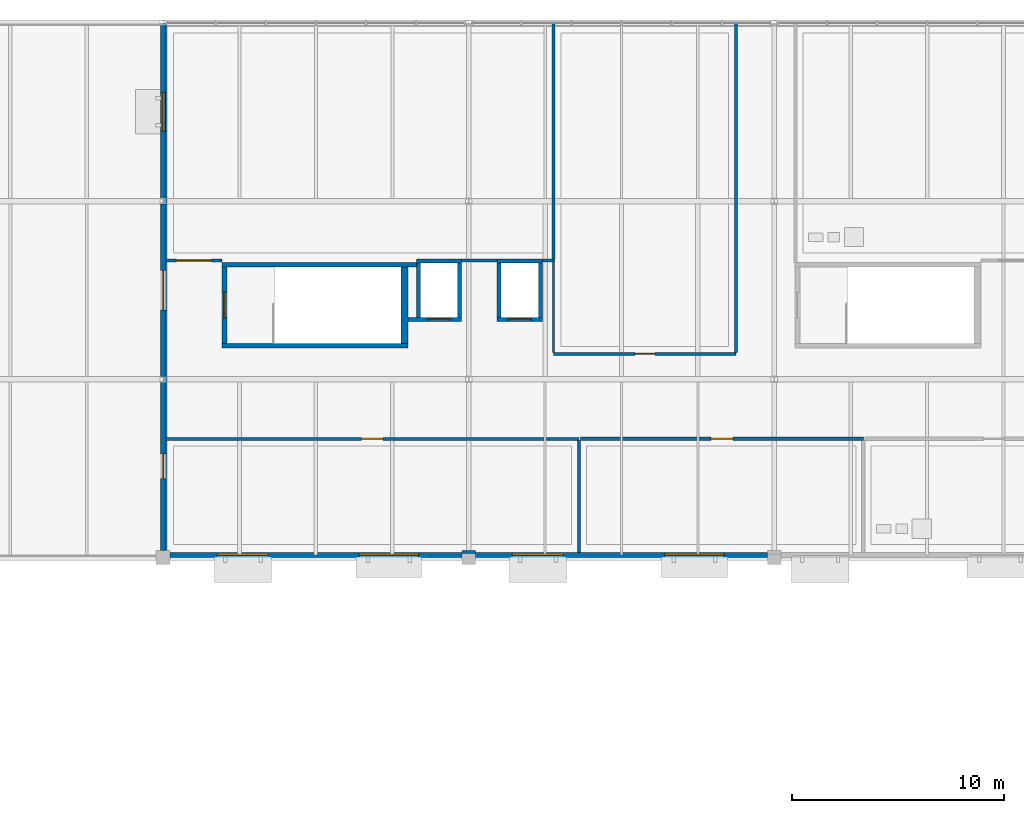
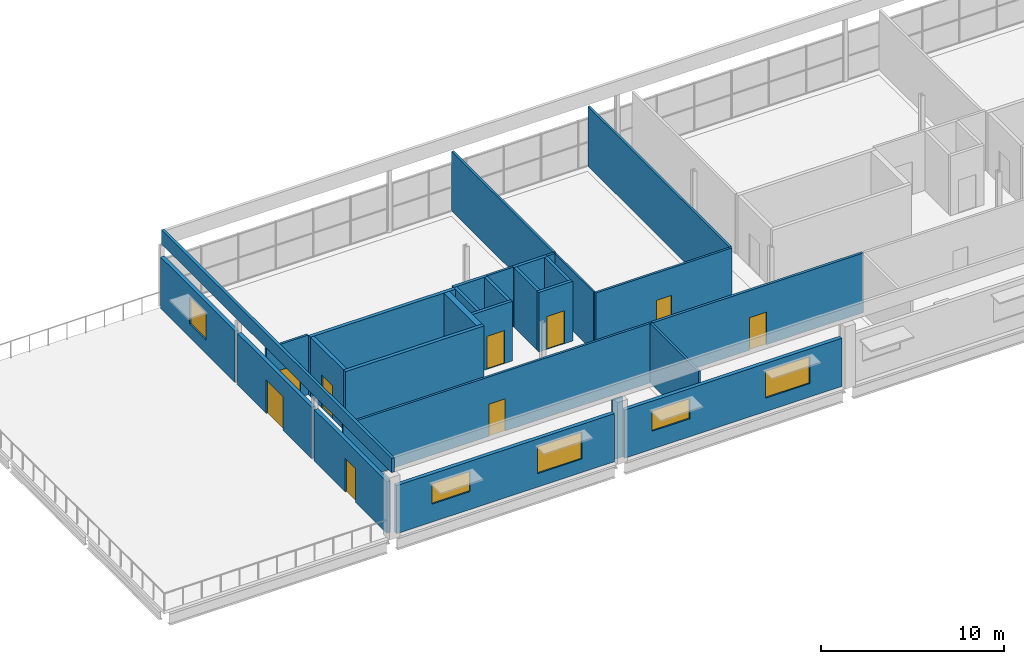
# One storey, part 39 of 43: 29 walls, 9 doors, 5 windows, 14 openings.
"""IFC4 building model written with IfcOpenShell, lengths in metres."""

import ifcopenshell
import ifcopenshell.guid

model = None  # the IFC model being written
_history = None  # IfcOwnerHistory: only IFC2X3 demands one
_inside = {}  # id of a spatial element -> (the spatial element, [elements in it])
_under = {}  # id of a project, library or spatial element -> (it, [spatial elements below it])
_declared = {}  # id of a project -> (the project, [libraries it declares])
_typed = {}  # id of a type object -> (the type object, [elements of that type])
_made_of = {}  # id of a material, layer set ... -> (it, [elements and type objects made of it])


def new_model(schema):
    """Start an empty IFC model of exactly this schema.

    Asked for "IFC4X3", IfcOpenShell would pick the latest addendum, in which some entities
    have other attributes; the version numbers below select the first issue.
    IFC2X3 requires an IfcOwnerHistory on every rooted entity: one is made here for all.
    """
    global model, _history
    if schema == "IFC4X3":
        model = ifcopenshell.file(schema_version=(4, 3, 0, 0))
    else:
        model = ifcopenshell.file(schema=schema)
    _inside.clear()
    _under.clear()
    _declared.clear()
    _typed.clear()
    _made_of.clear()
    _history = None
    if model.schema == "IFC2X3":
        org = make("IfcOrganization", Name="unknown")
        user = make(
            "IfcPersonAndOrganization",
            ThePerson=make("IfcPerson", FamilyName="unknown"),
            TheOrganization=org,
        )
        app = make(
            "IfcApplication",
            ApplicationDeveloper=org,
            Version="unknown",
            ApplicationFullName="unknown",
            ApplicationIdentifier="unknown",
        )
        _history = make(
            "IfcOwnerHistory",
            OwningUser=user,
            OwningApplication=app,
            ChangeAction="ADDED",
            CreationDate=0,
        )
    return model


def make(cls, **values):
    """One entity of the class cls with the attributes given. An attribute that is None is left unset."""
    return model.create_entity(
        cls, **{name: value for name, value in values.items() if value is not None}
    )


def rooted(cls, **values):
    """An entity with a GlobalId (a new one), such as an element, a storey or a relation."""
    return make(cls, GlobalId=ifcopenshell.guid.new(), OwnerHistory=_history, **values)


def si_unit(unit_type, name, prefix=None):
    """IfcSIUnit, for example si_unit("LENGTHUNIT", "METRE", prefix="MILLI")."""
    return make("IfcSIUnit", UnitType=unit_type, Prefix=prefix, Name=name)


def assignment(units):
    """IfcUnitAssignment: the units of a project."""
    return None if units is None else make("IfcUnitAssignment", Units=units)


def point(xyz):
    """IfcCartesianPoint."""
    return None if xyz is None else make("IfcCartesianPoint", Coordinates=xyz)


def direction(xyz):
    """IfcDirection."""
    return None if xyz is None else make("IfcDirection", DirectionRatios=xyz)


def frame(location, z_axis=None, x_axis=None):
    """IfcAxis2Placement3D, a coordinate frame: its origin and axes. An axis left out is left unset."""
    return make(
        "IfcAxis2Placement3D",
        Location=point(location),
        Axis=direction(z_axis),
        RefDirection=direction(x_axis),
    )


def frame_2d(location, x_axis=None):
    """IfcAxis2Placement2D, a coordinate frame in the plane: its origin and x axis."""
    return make(
        "IfcAxis2Placement2D", Location=point(location), RefDirection=direction(x_axis)
    )


def origin():
    """The frame at (0, 0, 0) with its axes left unset."""
    return frame((0.0, 0.0, 0.0))


def place(relative_to, where):
    """IfcLocalPlacement: puts the frame where relative to a parent placement (None: the world)."""
    return make(
        "IfcLocalPlacement", PlacementRelTo=relative_to, RelativePlacement=where
    )


def context(
    kind, dimensions, precision=None, world=None, true_north=None, identifier=None
):
    """IfcGeometricRepresentationContext, for example the 3D "Model" context."""
    return make(
        "IfcGeometricRepresentationContext",
        ContextIdentifier=identifier,
        ContextType=kind,
        CoordinateSpaceDimension=dimensions,
        Precision=precision,
        WorldCoordinateSystem=world,
        TrueNorth=true_north,
    )


def subcontext(parent, identifier, kind, view, scale=None):
    """IfcGeometricRepresentationSubContext, for example "Body" below "Model"."""
    return make(
        "IfcGeometricRepresentationSubContext",
        ContextIdentifier=identifier,
        ContextType=kind,
        ParentContext=parent,
        TargetScale=scale,
        TargetView=view,
    )


def project(units=None, contexts=None):
    """IfcProject with its units and contexts."""
    return rooted(
        "IfcProject",
        Name="project",
        RepresentationContexts=contexts,
        UnitsInContext=assignment(units),
    )


def spatial(cls, under=None, at=None, **own):
    """A site, building, storey or space (cls), placed at a placement, below another one or the project."""
    s = rooted(cls, ObjectPlacement=at, **own)
    if under is not None:
        _under.setdefault(under.id(), (under, []))[1].append(s)
    return s


def profile(cls, at=None, kind="AREA", **sizes):
    """A parametric profile (cls). Its sizes go by their IFC names, for example OverallWidth=200.0."""
    return make(cls, ProfileType=kind, Position=at, **sizes)


def rectangle(**sizes):
    """IfcRectangleProfileDef."""
    return profile("IfcRectangleProfileDef", **sizes)


def extrude(swept, where, along, depth):
    """IfcExtrudedAreaSolid: the profile swept, set in the frame where, extruded along a direction by depth."""
    return make(
        "IfcExtrudedAreaSolid",
        SweptArea=swept,
        Position=where,
        ExtrudedDirection=direction(along),
        Depth=depth,
    )


def shape(context_of_items, identifier, shape_type, items):
    """IfcShapeRepresentation: the items that make up one representation, for example the "Body"."""
    return make(
        "IfcShapeRepresentation",
        ContextOfItems=context_of_items,
        RepresentationIdentifier=identifier,
        RepresentationType=shape_type,
        Items=items,
    )


def material(Name=None, Category=None):
    """IfcMaterial."""
    return make("IfcMaterial", Name=Name, Category=Category)


def layer(
    of_material, thickness, ventilated=None, Name=None, Category=None, Priority=None
):
    """IfcMaterialLayer: one layer of a wall or slab, of a material (None: an air gap)."""
    return make(
        "IfcMaterialLayer",
        Material=of_material,
        LayerThickness=thickness,
        IsVentilated=ventilated,
        Name=Name,
        Category=Category,
        Priority=Priority,
    )


def layer_set(layers, Name=None):
    """IfcMaterialLayerSet."""
    return make("IfcMaterialLayerSet", MaterialLayers=layers, LayerSetName=Name)


def made_of(thing, what):
    """Note that an element or type object is made of a material, layer set ...; save() writes the relation."""
    if what is not None:
        _made_of.setdefault(what.id(), (what, []))[1].append(thing)
    return thing


def type_object(cls, material=None, **own):
    """A type object (cls), such as IfcWallType, which elements share."""
    return made_of(rooted(cls, **own), material)


def element(
    cls,
    number,
    at=None,
    inside=None,
    cuts=None,
    type_object=None,
    material=None,
    context=None,
    identifier="Body",
    shape_type=None,
    held_by="IfcProductDefinitionShape",
    body=None,
    shapes=None,
    **own,
):
    """One element of the class cls, such as IfcWall. Its Tag is "e" and its number.

    at: its placement. inside: the storey or other place that contains it. cuts: it is an
    opening in that element (IfcRelVoidsElement). A single representation is given by context,
    identifier, shape_type and body (its items); several are given by shapes. held_by: the class
    of the entity that holds the representations. save() writes the other relations.
    """
    e = rooted(cls, Tag="e%d" % number, ObjectPlacement=at, **own)
    if body is not None:
        shapes = [shape(context, identifier, shape_type, body)]
    if shapes is not None:
        e.Representation = make(held_by, Representations=shapes)
    if inside is not None:
        _inside.setdefault(inside.id(), (inside, []))[1].append(e)
    if cuts is not None:
        rooted(
            "IfcRelVoidsElement", RelatingBuildingElement=cuts, RelatedOpeningElement=e
        )
    if type_object is not None:
        _typed.setdefault(type_object.id(), (type_object, []))[1].append(e)
    return made_of(e, material)


def fill(opening, filler):
    """IfcRelFillsElement: the door or window that sits in an opening."""
    return rooted(
        "IfcRelFillsElement",
        RelatingOpeningElement=opening,
        RelatedBuildingElement=filler,
    )


def aggregate(whole, parts):
    """IfcRelAggregates: a whole, such as a stair, and the parts it consists of."""
    return rooted("IfcRelAggregates", RelatingObject=whole, RelatedObjects=parts)


def save(model, path):
    """Write the relations noted so far, then the file.

    IfcRelAggregates (storeys below a building ...), IfcRelContainedInSpatialStructure (elements
    in a storey), IfcRelDefinesByType, IfcRelAssociatesMaterial and IfcRelDeclares: one each for
    every whole, place, type object, material and project.
    """
    for whole, parts in _under.values():
        aggregate(whole, parts)
    for where, things in _inside.values():
        rooted(
            "IfcRelContainedInSpatialStructure",
            RelatedElements=things,
            RelatingStructure=where,
        )
    for kind, things in _typed.values():
        rooted("IfcRelDefinesByType", RelatedObjects=things, RelatingType=kind)
    for what, things in _made_of.values():
        rooted("IfcRelAssociatesMaterial", RelatedObjects=things, RelatingMaterial=what)
    for by, libraries in _declared.values():
        rooted("IfcRelDeclares", RelatingContext=by, RelatedDefinitions=libraries)
    model.write(path)


model = new_model("IFC4")

# Units and contexts
model_context = context("Model", 3, precision=1e-05, world=origin(), true_north=direction((0.0, 1.0)))
body_context = subcontext(model_context, "Body", "Model", "MODEL_VIEW")
ifc_project = project(units=[si_unit("LENGTHUNIT", "METRE"), si_unit("AREAUNIT", "SQUARE_METRE"), si_unit("VOLUMEUNIT", "CUBIC_METRE"), si_unit("PLANEANGLEUNIT", "RADIAN"), si_unit("MASSUNIT", "GRAM", prefix="KILO"), si_unit("THERMODYNAMICTEMPERATUREUNIT", "KELVIN")], contexts=[model_context])

# Site, building, storey
site_placement = place(None, origin())
site = spatial("IfcSite", under=ifc_project, at=site_placement, CompositionType="ELEMENT")
building_placement = place(site_placement, origin())
building = spatial("IfcBuilding", under=site, at=building_placement, Name="Nduvali Passage Aquatics Centre", CompositionType="ELEMENT")
storey_placement = place(building_placement, frame((0.0, 0.0, 17.39990234375)))
storey = spatial("IfcBuildingStorey", under=building, at=storey_placement, Name="L04", CompositionType="ELEMENT", Elevation=17.39990234375)

# Wall
ifc_material_1 = material(Name="Coral-stone masonry blockwork", Category="masonry")
ifc_layer_1 = layer(ifc_material_1, 0.179931640625, Name="Coral-stone masonry blockwork")
ifc_layer_set_1 = layer_set([ifc_layer_1], Name="Coral-stone masonry blockwork")
wall_type_1 = type_object("IfcWallType", Name="ENV-WAL-PAR180", PredefinedType="PARAPET", material=ifc_layer_set_1)
wall_1_placement = place(storey_placement, frame((68.489990234375, 92.39990234375, 4.2001953125), z_axis=(0.0, 0.0, 1.0), x_axis=(0.0, 1.0, 0.0)))
element("IfcWall", 1, at=wall_1_placement, inside=storey, type_object=wall_type_1, Name="V5 Main Roof West Parapet", PredefinedType="PARAPET", context=body_context, shape_type="SweptSolid", body=[
    extrude(rectangle(XDim=25.2001953125, YDim=0.179931640625, at=frame_2d((12.60009765625, 0.0))), origin(), (0.0, 0.0, 1.0), 0.949951171875),
])

# Wall, opening, door
ifc_material_2 = material(Name="Precast concrete C40/50", Category="concrete")
ifc_layer_2 = layer(ifc_material_2, 0.239990234375, Name="Precast concrete C40/50")
ifc_layer_set_2 = layer_set([ifc_layer_2], Name="Precast concrete C40/50")
wall_type_2 = type_object("IfcWallType", Name="ENV-WAL-SPAND240", PredefinedType="STANDARD", material=ifc_layer_set_2)
wall_2_placement = place(storey_placement, frame((68.39990234375, 100.669921875, 0.0), z_axis=(0.0, 0.0, 1.0), x_axis=(0.0, -1.0, 0.0)))
wall_2 = element("IfcWall", 2, at=wall_2_placement, inside=storey, type_object=wall_type_2, Name="L04 North Wing West Stepped Facade 0080", PredefinedType="STANDARD", context=body_context, shape_type="SweptSolid", body=[
    extrude(rectangle(XDim=7.94482421875, YDim=0.239990234375, at=frame_2d((3.972412109375, 0.0))), origin(), (0.0, 0.0, 1.0), 3.4365234375),
])
opening_1_placement = place(wall_2_placement, frame((3.39794921875, 0.0, 0.0)))
opening_1 = element("IfcOpeningElement", 3, at=opening_1_placement, cuts=wall_2, Name="Opening TD-EXT2", PredefinedType="OPENING", context=body_context, shape_type="SweptSolid", body=[
    extrude(rectangle(XDim=1.14990234375, YDim=2.25, at=frame_2d((0.574951171875, 1.125))), frame((0.0, 0.134765625, 0.0), z_axis=(0.0, -1.0, 0.0), x_axis=(1.0, 0.0, 0.0)), (0.0, 0.0, 1.0), 0.269775390625),
])
ifc_material_3 = material(Name="Aluminium-framed glazed door", Category="aluminium")
door_type_1 = type_object("IfcDoorType", Name="ENV-DR-TER110", OperationType="NOTDEFINED", PredefinedType="DOOR", material=ifc_material_3)
door_1_placement = place(opening_1_placement, frame((1.14990234375, 0.0, 0.0), z_axis=(0.0, 0.0, 1.0), x_axis=(-1.0, 0.0, 0.0)))
door_1 = element("IfcDoor", 4, at=door_1_placement, inside=storey, type_object=door_type_1, Name="L04 Exterior Exit Door TD-EXT2-023", OperationType="SINGLE_SWING_RIGHT", OverallHeight=2.25, OverallWidth=1.14990234375, PredefinedType="DOOR", context=body_context, shape_type="SweptSolid", body=[
    extrude(rectangle(XDim=1.14990234375, YDim=2.25, at=frame_2d((0.574951171875, 1.125))), frame((0.0, 0.02490234375, 0.0), z_axis=(0.0, -1.0, 0.0), x_axis=(1.0, 0.0, 0.0)), (0.0, 0.0, 1.0), 0.050048828125),
])
fill(opening_1, door_1)

wall_3_placement = place(storey_placement, frame((68.39990234375, 109.070068359375, 0.0), z_axis=(0.0, 0.0, 1.0), x_axis=(0.0, -1.0, 0.0)))
wall_3 = element("IfcWall", 5, at=wall_3_placement, inside=storey, type_object=wall_type_2, Name="L04 North Wing West Stepped Facade 0081", PredefinedType="STANDARD", context=body_context, shape_type="SweptSolid", body=[
    extrude(rectangle(XDim=8.14013671875, YDim=0.239990234375, at=frame_2d((4.070068359375, 0.0))), origin(), (0.0, 0.0, 1.0), 3.4365234375),
])
opening_2_placement = place(wall_3_placement, frame((3.14501953125, 0.0, 0.0)))
opening_2 = element("IfcOpeningElement", 6, at=opening_2_placement, cuts=wall_3, Name="Opening TD-EXT1", PredefinedType="OPENING", context=body_context, shape_type="SweptSolid", body=[
    extrude(rectangle(XDim=1.85009765625, YDim=2.25, at=frame_2d((0.925048828125, 1.125))), frame((0.0, 0.134765625, 0.0), z_axis=(0.0, -1.0, 0.0), x_axis=(1.0, 0.0, 0.0)), (0.0, 0.0, 1.0), 0.269775390625),
])
door_type_2 = type_object("IfcDoorType", Name="ENV-DR-TER180", OperationType="DOUBLE_DOOR_SINGLE_SWING", PredefinedType="DOOR", material=ifc_material_3)
door_2_placement = place(opening_2_placement, frame((1.85009765625, 0.0, 0.0), z_axis=(0.0, 0.0, 1.0), x_axis=(-1.0, 0.0, 0.0)))
door_2 = element("IfcDoor", 7, at=door_2_placement, inside=storey, type_object=door_type_2, Name="L04 Exterior Exit Door TD-EXT1-024", OperationType="DOUBLE_DOOR_SINGLE_SWING", OverallHeight=2.25, OverallWidth=1.85009765625, PredefinedType="DOOR", context=body_context, shape_type="SweptSolid", body=[
    extrude(rectangle(XDim=1.85009765625, YDim=2.25, at=frame_2d((0.925048828125, 1.125))), frame((0.0, 0.02490234375, 0.0), z_axis=(0.0, -1.0, 0.0), x_axis=(1.0, 0.0, 0.0)), (0.0, 0.0, 1.0), 0.050048828125),
])
fill(opening_2, door_2)

# Wall, opening, window
wall_4_placement = place(storey_placement, frame((68.39990234375, 117.485107421875, 0.0), z_axis=(0.0, 0.0, 1.0), x_axis=(0.0, -1.0, 0.0)))
wall_4 = element("IfcWall", 8, at=wall_4_placement, inside=storey, type_object=wall_type_2, Name="L04 North Wing West Stepped Facade 0082", PredefinedType="STANDARD", context=body_context, shape_type="SweptSolid", body=[
    extrude(rectangle(XDim=8.155029296875, YDim=0.239990234375, at=frame_2d((4.07763671875, 0.0))), origin(), (0.0, 0.0, 1.0), 3.4365234375),
])
opening_3_placement = place(wall_4_placement, frame((3.177978515625, 0.0, 0.89990234375)))
opening_3 = element("IfcOpeningElement", 9, at=opening_3_placement, cuts=wall_4, Name="Opening W2", PredefinedType="OPENING", context=body_context, shape_type="SweptSolid", body=[
    extrude(rectangle(XDim=1.800048828125, YDim=1.800048828125, at=frame_2d((0.89990234375, 0.89990234375))), frame((0.0, 0.134765625, 0.0), z_axis=(0.0, -1.0, 0.0), x_axis=(1.0, 0.0, 0.0)), (0.0, 0.0, 1.0), 0.269775390625),
])
ifc_material_4 = material(Name="Aluminium-framed solar-control low-E IGU", Category="aluminium")
window_type_1 = type_object("IfcWindowType", Name="ENV-WIN-W2", PartitioningType="SINGLE_PANEL", PredefinedType="WINDOW", material=ifc_material_4)
window_1_placement = place(opening_3_placement, origin())
window_1 = element("IfcWindow", 10, at=window_1_placement, inside=storey, type_object=window_type_1, Name="L04 Exterior Window W2-0074", OverallHeight=1.800048828125, OverallWidth=1.800048828125, PartitioningType="SINGLE_PANEL", PredefinedType="WINDOW", context=body_context, shape_type="SweptSolid", body=[
    extrude(rectangle(XDim=1.800048828125, YDim=1.800048828125, at=frame_2d((0.89990234375, 0.89990234375))), frame((0.0, 0.030029296875, 0.0), z_axis=(0.0, -1.0, 0.0), x_axis=(1.0, 0.0, 0.0)), (0.0, 0.0, 1.0), 0.06005859375),
])
fill(opening_3, window_1)

# Wall, openings, windows
wall_5_placement = place(storey_placement, frame((68.72509765625, 92.530029296875, 0.0), z_axis=(0.0, 0.0, 1.0), x_axis=(1.0, 0.0, 0.0)))
wall_5 = element("IfcWall", 11, at=wall_5_placement, inside=storey, type_object=wall_type_2, Name="L04 North Wing L04 South Wall 0084", PredefinedType="STANDARD", context=body_context, shape_type="SweptSolid", body=[
    extrude(rectangle(XDim=13.75, YDim=0.239990234375, at=frame_2d((6.875, 0.0))), origin(), (0.0, 0.0, 1.0), 3.2138671875),
])
opening_4_placement = place(wall_5_placement, frame((2.237060546875, 0.0, 1.199951171875)))
opening_4 = element("IfcOpeningElement", 12, at=opening_4_placement, cuts=wall_5, Name="Opening W9", PredefinedType="OPENING", context=body_context, shape_type="SweptSolid", body=[
    extrude(rectangle(XDim=2.39990234375, YDim=1.35009765625, at=frame_2d((1.199951171875, 0.675048828125))), frame((0.0, 0.134765625, 0.0), z_axis=(0.0, -1.0, 0.0), x_axis=(1.0, 0.0, 0.0)), (0.0, 0.0, 1.0), 0.269775390625),
])
opening_5_placement = place(wall_5_placement, frame((8.912109375, 0.0, 0.89990234375)))
opening_5 = element("IfcOpeningElement", 13, at=opening_5_placement, cuts=wall_5, Name="Opening W14", PredefinedType="OPENING", context=body_context, shape_type="SweptSolid", body=[
    extrude(rectangle(XDim=2.800048828125, YDim=1.800048828125, at=frame_2d((1.39990234375, 0.89990234375))), frame((0.0, 0.134765625, 0.0), z_axis=(0.0, -1.0, 0.0), x_axis=(1.0, 0.0, 0.0)), (0.0, 0.0, 1.0), 0.269775390625),
])
window_type_2 = type_object("IfcWindowType", Name="ENV-WIN-W14", PartitioningType="SINGLE_PANEL", PredefinedType="WINDOW", material=ifc_material_4)
window_2_placement = place(opening_5_placement, origin())
window_2 = element("IfcWindow", 14, at=window_2_placement, inside=storey, type_object=window_type_2, Name="L04 Exterior Window W14-0078", OverallHeight=1.800048828125, OverallWidth=2.800048828125, PartitioningType="SINGLE_PANEL", PredefinedType="WINDOW", context=body_context, shape_type="SweptSolid", body=[
    extrude(rectangle(XDim=2.800048828125, YDim=1.800048828125, at=frame_2d((1.39990234375, 0.89990234375))), frame((0.0, 0.030029296875, 0.0), z_axis=(0.0, -1.0, 0.0), x_axis=(1.0, 0.0, 0.0)), (0.0, 0.0, 1.0), 0.06005859375),
])
fill(opening_5, window_2)
window_type_3 = type_object("IfcWindowType", Name="ENV-WIN-W9", PartitioningType="SINGLE_PANEL", PredefinedType="WINDOW", material=ifc_material_4)
window_3_placement = place(opening_4_placement, origin())
window_3 = element("IfcWindow", 15, at=window_3_placement, inside=storey, type_object=window_type_3, Name="L04 Exterior Window W9-0077", OverallHeight=1.35009765625, OverallWidth=2.39990234375, PartitioningType="SINGLE_PANEL", PredefinedType="WINDOW", context=body_context, shape_type="SweptSolid", body=[
    extrude(rectangle(XDim=2.39990234375, YDim=1.35009765625, at=frame_2d((1.199951171875, 0.675048828125))), frame((0.0, 0.030029296875, 0.0), z_axis=(0.0, -1.0, 0.0), x_axis=(1.0, 0.0, 0.0)), (0.0, 0.0, 1.0), 0.06005859375),
])
fill(opening_4, window_3)

wall_6_placement = place(storey_placement, frame((83.125, 92.530029296875, 0.0), z_axis=(0.0, 0.0, 1.0), x_axis=(1.0, 0.0, 0.0)))
wall_6 = element("IfcWall", 16, at=wall_6_placement, inside=storey, type_object=wall_type_2, Name="L04 North Wing L04 South Wall 0085", PredefinedType="STANDARD", context=body_context, shape_type="SweptSolid", body=[
    extrude(rectangle(XDim=13.75, YDim=0.239990234375, at=frame_2d((6.875, 0.0))), origin(), (0.0, 0.0, 1.0), 3.2138671875),
])
opening_6_placement = place(wall_6_placement, frame((1.737060546875, 0.0, 1.199951171875)))
opening_6 = element("IfcOpeningElement", 17, at=opening_6_placement, cuts=wall_6, Name="Opening W9", PredefinedType="OPENING", context=body_context, shape_type="SweptSolid", body=[
    extrude(rectangle(XDim=2.39990234375, YDim=1.35009765625, at=frame_2d((1.199951171875, 0.675048828125))), frame((0.0, 0.134765625, 0.0), z_axis=(0.0, -1.0, 0.0), x_axis=(1.0, 0.0, 0.0)), (0.0, 0.0, 1.0), 0.269775390625),
])
opening_7_placement = place(wall_6_placement, frame((8.912109375, 0.0, 0.89990234375)))
opening_7 = element("IfcOpeningElement", 18, at=opening_7_placement, cuts=wall_6, Name="Opening W14", PredefinedType="OPENING", context=body_context, shape_type="SweptSolid", body=[
    extrude(rectangle(XDim=2.800048828125, YDim=1.800048828125, at=frame_2d((1.39990234375, 0.89990234375))), frame((0.0, 0.134765625, 0.0), z_axis=(0.0, -1.0, 0.0), x_axis=(1.0, 0.0, 0.0)), (0.0, 0.0, 1.0), 0.269775390625),
])
window_4_placement = place(opening_7_placement, origin())
window_4 = element("IfcWindow", 19, at=window_4_placement, inside=storey, type_object=window_type_2, Name="L04 Exterior Window W14-0080", OverallHeight=1.800048828125, OverallWidth=2.800048828125, PartitioningType="SINGLE_PANEL", PredefinedType="WINDOW", context=body_context, shape_type="SweptSolid", body=[
    extrude(rectangle(XDim=2.800048828125, YDim=1.800048828125, at=frame_2d((1.39990234375, 0.89990234375))), frame((0.0, 0.030029296875, 0.0), z_axis=(0.0, -1.0, 0.0), x_axis=(1.0, 0.0, 0.0)), (0.0, 0.0, 1.0), 0.06005859375),
])
fill(opening_7, window_4)
window_5_placement = place(opening_6_placement, origin())
window_5 = element("IfcWindow", 20, at=window_5_placement, inside=storey, type_object=window_type_3, Name="L04 Exterior Window W9-0079", OverallHeight=1.35009765625, OverallWidth=2.39990234375, PartitioningType="SINGLE_PANEL", PredefinedType="WINDOW", context=body_context, shape_type="SweptSolid", body=[
    extrude(rectangle(XDim=2.39990234375, YDim=1.35009765625, at=frame_2d((1.199951171875, 0.675048828125))), frame((0.0, 0.030029296875, 0.0), z_axis=(0.0, -1.0, 0.0), x_axis=(1.0, 0.0, 0.0)), (0.0, 0.0, 1.0), 0.06005859375),
])
fill(opening_6, window_5)

# Walls
ifc_material_5 = material(Name="Concrete C40/50", Category="concrete")
ifc_layer_3 = layer(ifc_material_5, 0.219970703125, Name="Concrete C40/50")
ifc_layer_set_3 = layer_set([ifc_layer_3], Name="Concrete C40/50")
wall_type_3 = type_object("IfcWallType", Name="INT-WAL-CORE220", PredefinedType="SOLIDWALL", material=ifc_layer_set_3)
wall_7_placement = place(storey_placement, frame((71.179931640625, 102.389892578125, 0.0), z_axis=(0.0, 0.0, 1.0), x_axis=(1.0, 0.0, 0.0)))
element("IfcWall", 21, at=wall_7_placement, inside=storey, type_object=wall_type_3, Name="L04 Stair ST1 Core Wall S", PredefinedType="SOLIDWALL", context=body_context, shape_type="SweptSolid", body=[
    extrude(rectangle(XDim=8.77001953125, YDim=0.219970703125, at=frame_2d((4.385009765625, 0.0))), origin(), (0.0, 0.0, 1.0), 3.97998046875),
])
wall_8_placement = place(storey_placement, frame((80.330078125, 106.199951171875, 0.0), z_axis=(0.0, 0.0, 1.0), x_axis=(-1.0, 0.0, 0.0)))
element("IfcWall", 22, at=wall_8_placement, inside=storey, type_object=wall_type_3, Name="L04 Stair ST1 Core Wall N", PredefinedType="SOLIDWALL", context=body_context, shape_type="SweptSolid", body=[
    extrude(rectangle(XDim=9.150146484375, YDim=0.219970703125, at=frame_2d((4.5751953125, 0.0))), origin(), (0.0, 0.0, 1.0), 3.97998046875),
])

# Wall, opening, door
wall_9_placement = place(storey_placement, frame((71.2900390625, 106.090087890625, 0.0), z_axis=(0.0, 0.0, 1.0), x_axis=(0.0, -1.0, 0.0)))
wall_9 = element("IfcWall", 23, at=wall_9_placement, inside=storey, type_object=wall_type_3, Name="L04 Stair ST1 Core Wall W", PredefinedType="SOLIDWALL", context=body_context, shape_type="SweptSolid", body=[
    extrude(rectangle(XDim=3.590087890625, YDim=0.219970703125, at=frame_2d((1.794921875, 0.0))), origin(), (0.0, 0.0, 1.0), 3.97998046875),
])
opening_8_placement = place(wall_9_placement, frame((1.195068359375, 0.0, 0.0)))
opening_8 = element("IfcOpeningElement", 24, at=opening_8_placement, cuts=wall_9, Name="Opening FD-ST2", PredefinedType="OPENING", context=body_context, shape_type="SweptSolid", body=[
    extrude(rectangle(XDim=1.199951171875, YDim=2.199951171875, at=frame_2d((0.60009765625, 1.10009765625))), frame((0.0, 0.125, 0.0), z_axis=(0.0, -1.0, 0.0), x_axis=(1.0, 0.0, 0.0)), (0.0, 0.0, 1.0), 0.249755859375),
])
ifc_material_6 = material(Name="Galvanised steel door", Category="steel")
door_type_3 = type_object("IfcDoorType", Name="INT-DR-ST120", OperationType="NOTDEFINED", PredefinedType="DOOR", material=ifc_material_6)
door_3_placement = place(opening_8_placement, frame((1.199951171875, 0.0, 0.0), z_axis=(0.0, 0.0, 1.0), x_axis=(-1.0, 0.0, 0.0)))
door_3 = element("IfcDoor", 25, at=door_3_placement, inside=storey, type_object=door_type_3, Name="L04 Stair ST1 Fire Lobby Door", OperationType="SINGLE_SWING_LEFT", OverallHeight=2.199951171875, OverallWidth=1.199951171875, PredefinedType="DOOR", context=body_context, shape_type="SweptSolid", body=[
    extrude(rectangle(XDim=1.199951171875, YDim=2.199951171875, at=frame_2d((0.60009765625, 1.10009765625))), frame((0.0, 0.02490234375, 0.0), z_axis=(0.0, -1.0, 0.0), x_axis=(1.0, 0.0, 0.0)), (0.0, 0.0, 1.0), 0.050048828125),
])
fill(opening_8, door_3)

ifc_material_7 = material(Name="Gypsum fire-rated stud partition")
ifc_layer_4 = layer(ifc_material_7, 0.159912109375, Name="Gypsum fire-rated stud partition")
ifc_layer_set_4 = layer_set([ifc_layer_4], Name="Gypsum fire-rated stud partition")
wall_type_4 = type_object("IfcWallType", Name="INT-WAL-FIRE160", PredefinedType="PARTITIONING", material=ifc_layer_set_4)
wall_10_placement = place(storey_placement, frame((88.070068359375, 98.0, 0.0), z_axis=(0.0, 0.0, 1.0), x_axis=(1.0, 0.0, 0.0)))
wall_10 = element("IfcWall", 26, at=wall_10_placement, inside=storey, type_object=wall_type_4, Name="L04 Sports Psychology and Video Biomechanics Suite Partition 0244", PredefinedType="PARTITIONING", context=body_context, shape_type="SweptSolid", body=[
    extrude(rectangle(XDim=13.329833984375, YDim=0.159912109375, at=frame_2d((6.6650390625, 0.0))), origin(), (0.0, 0.0, 1.0), 3.97998046875),
])
opening_9_placement = place(wall_10_placement, frame((6.139892578125, 0.0, 0.0)))
opening_9 = element("IfcOpeningElement", 27, at=opening_9_placement, cuts=wall_10, Name="Opening FD-R1", PredefinedType="OPENING", context=body_context, shape_type="SweptSolid", body=[
    extrude(rectangle(XDim=1.050048828125, YDim=2.179931640625, at=frame_2d((0.52490234375, 1.08984375))), frame((0.0, 0.0947265625, 0.0), z_axis=(0.0, -1.0, 0.0), x_axis=(1.0, 0.0, 0.0)), (0.0, 0.0, 1.0), 0.189697265625),
])
ifc_material_8 = material(Name="Timber solid-core fire door", Category="wood")
door_type_4 = type_object("IfcDoorType", Name="INT-DR-FIRE100", OperationType="NOTDEFINED", PredefinedType="DOOR", material=ifc_material_8)
door_4_placement = place(opening_9_placement, origin())
door_4 = element("IfcDoor", 28, at=door_4_placement, inside=storey, type_object=door_type_4, Name="L04 Sports Psychology and Video Biomechanics Suite Door 0084", OperationType="SINGLE_SWING_LEFT", OverallHeight=2.179931640625, OverallWidth=1.050048828125, PredefinedType="DOOR", context=body_context, shape_type="SweptSolid", body=[
    extrude(rectangle(XDim=1.050048828125, YDim=2.179931640625, at=frame_2d((0.52490234375, 1.08984375))), frame((0.0, 0.02490234375, 0.0), z_axis=(0.0, -1.0, 0.0), x_axis=(1.0, 0.0, 0.0)), (0.0, 0.0, 1.0), 0.050048828125),
])
fill(opening_9, door_4)

# Wall
ifc_material_9 = material(Name="Glulam GL28h", Category="wood")
ifc_layer_5 = layer(ifc_material_9, 0.10009765625, Name="Glulam GL28h")
ifc_layer_set_5 = layer_set([ifc_layer_5], Name="Glulam GL28h")
wall_type_5 = type_object("IfcWallType", Name="INT-WAL-MOV100", PredefinedType="MOVABLE", material=ifc_layer_set_5)
wall_11_placement = place(storey_placement, frame((86.800048828125, 102.070068359375, 0.0), z_axis=(0.0, 0.0, 1.0), x_axis=(0.0, 1.0, 0.0)))
element("IfcWall", 29, at=wall_11_placement, inside=storey, type_object=wall_type_5, Name="L04 Athlete Mobility and Recovery Wellness Studio Partition 0234", PredefinedType="MOVABLE", context=body_context, shape_type="SweptSolid", body=[
    extrude(rectangle(XDim=4.39990234375, YDim=0.10009765625, at=frame_2d((2.199951171875, 0.0))), origin(), (0.0, 0.0, 1.0), 3.97998046875),
])

# Wall, opening, door
ifc_material_10 = material(Name="Gypsum acoustic stud partition")
ifc_layer_6 = layer(ifc_material_10, 0.139892578125, Name="Gypsum acoustic stud partition")
ifc_layer_set_6 = layer_set([ifc_layer_6], Name="Gypsum acoustic stud partition")
wall_type_6 = type_object("IfcWallType", Name="INT-WAL-PART140", PredefinedType="PARTITIONING", material=ifc_layer_set_6)
wall_12_placement = place(storey_placement, frame((68.52001953125, 106.39990234375, 0.0), z_axis=(0.0, 0.0, 1.0), x_axis=(1.0, 0.0, 0.0)))
wall_12 = element("IfcWall", 30, at=wall_12_placement, inside=storey, type_object=wall_type_6, Name="L04 Breathwork and Altitude Conditioning Wellness Studio Partition 0229", PredefinedType="PARTITIONING", context=body_context, shape_type="SweptSolid", body=[
    extrude(rectangle(XDim=2.659912109375, YDim=0.139892578125, at=frame_2d((1.330078125, 0.0))), origin(), (0.0, 0.0, 1.0), 3.97998046875),
])
opening_10_placement = place(wall_12_placement, frame((0.5048828125, 0.0, 0.0)))
opening_10 = element("IfcOpeningElement", 31, at=opening_10_placement, cuts=wall_12, Name="Opening SD1", PredefinedType="OPENING", context=body_context, shape_type="SweptSolid", body=[
    extrude(rectangle(XDim=1.64990234375, YDim=2.25, at=frame_2d((0.824951171875, 1.125))), frame((0.0, 0.0849609375, 0.0), z_axis=(0.0, -1.0, 0.0), x_axis=(1.0, 0.0, 0.0)), (0.0, 0.0, 1.0), 0.169677734375),
])
door_type_5 = type_object("IfcDoorType", Name="INT-DR-SLD160", OperationType="DOUBLE_DOOR_SLIDING", PredefinedType="DOOR", material=ifc_material_3)
door_5_placement = place(opening_10_placement, frame((1.64990234375, 0.0, 0.0), z_axis=(0.0, 0.0, 1.0), x_axis=(-1.0, 0.0, 0.0)))
door_5 = element("IfcDoor", 32, at=door_5_placement, inside=storey, type_object=door_type_5, Name="L04 Breathwork and Altitude Conditioning Wellness Studio Door 0079", OperationType="DOUBLE_DOOR_SLIDING", OverallHeight=2.25, OverallWidth=1.64990234375, PredefinedType="DOOR", context=body_context, shape_type="SweptSolid", body=[
    extrude(rectangle(XDim=1.64990234375, YDim=2.25, at=frame_2d((0.824951171875, 1.125))), frame((0.0, 0.02490234375, 0.0), z_axis=(0.0, -1.0, 0.0), x_axis=(1.0, 0.0, 0.0)), (0.0, 0.0, 1.0), 0.050048828125),
])
fill(opening_10, door_5)

# Walls
wall_13_placement = place(storey_placement, frame((82.469970703125, 106.39990234375, 0.0), z_axis=(0.0, 0.0, 1.0), x_axis=(1.0, 0.0, 0.0)))
element("IfcWall", 33, at=wall_13_placement, inside=storey, type_object=wall_type_6, Name="L04 Breathwork and Altitude Conditioning Wellness Studio Partition 0230", PredefinedType="PARTITIONING", context=body_context, shape_type="SweptSolid", body=[
    extrude(rectangle(XDim=1.659912109375, YDim=0.139892578125, at=frame_2d((0.830078125, 0.0))), origin(), (0.0, 0.0, 1.0), 3.97998046875),
])
wall_14_placement = place(storey_placement, frame((86.27001953125, 106.39990234375, 0.0), z_axis=(0.0, 0.0, 1.0), x_axis=(1.0, 0.0, 0.0)))
element("IfcWall", 34, at=wall_14_placement, inside=storey, type_object=wall_type_6, Name="L04 Breathwork and Altitude Conditioning Wellness Studio Partition 0231", PredefinedType="PARTITIONING", context=body_context, shape_type="SweptSolid", body=[
    extrude(rectangle(XDim=0.530029296875, YDim=0.139892578125, at=frame_2d((0.26513671875, 0.0))), origin(), (0.0, 0.0, 1.0), 3.97998046875),
])
wall_15_placement = place(storey_placement, frame((86.800048828125, 106.469970703125, 0.0), z_axis=(0.0, 0.0, 1.0), x_axis=(0.0, 1.0, 0.0)))
element("IfcWall", 35, at=wall_15_placement, inside=storey, type_object=wall_type_6, Name="L04 Breathwork and Altitude Conditioning Wellness Studio Partition 0232", PredefinedType="PARTITIONING", context=body_context, shape_type="SweptSolid", body=[
    extrude(rectangle(XDim=11.110107421875, YDim=0.139892578125, at=frame_2d((5.55517578125, 0.0))), origin(), (0.0, 0.0, 1.0), 3.97998046875),
])

# Wall, opening, door
wall_16_placement = place(storey_placement, frame((86.800048828125, 102.0, 0.0), z_axis=(0.0, 0.0, 1.0), x_axis=(1.0, 0.0, 0.0)))
wall_16 = element("IfcWall", 36, at=wall_16_placement, inside=storey, type_object=wall_type_6, Name="L04 Athlete Mobility and Recovery Wellness Studio Partition 0233", PredefinedType="PARTITIONING", context=body_context, shape_type="SweptSolid", body=[
    extrude(rectangle(XDim=8.599853515625, YDim=0.139892578125, at=frame_2d((4.2998046875, 0.0))), origin(), (0.0, 0.0, 1.0), 3.97998046875),
])
opening_11_placement = place(wall_16_placement, frame((3.824951171875, 0.0, 0.0)))
opening_11 = element("IfcOpeningElement", 37, at=opening_11_placement, cuts=wall_16, Name="Opening ID2", PredefinedType="OPENING", context=body_context, shape_type="SweptSolid", body=[
    extrude(rectangle(XDim=0.949951171875, YDim=2.14990234375, at=frame_2d((0.47509765625, 1.074951171875))), frame((0.0, 0.0849609375, 0.0), z_axis=(0.0, -1.0, 0.0), x_axis=(1.0, 0.0, 0.0)), (0.0, 0.0, 1.0), 0.169677734375),
])
ifc_material_11 = material(Name="Timber solid-core door", Category="wood")
door_type_6 = type_object("IfcDoorType", Name="INT-DR-STD95", OperationType="NOTDEFINED", PredefinedType="DOOR", material=ifc_material_11)
door_6_placement = place(opening_11_placement, origin())
door_6 = element("IfcDoor", 38, at=door_6_placement, inside=storey, type_object=door_type_6, Name="L04 Athlete Mobility and Recovery Wellness Studio Door 0080", OperationType="SINGLE_SWING_LEFT", OverallHeight=2.14990234375, OverallWidth=0.949951171875, PredefinedType="DOOR", context=body_context, shape_type="SweptSolid", body=[
    extrude(rectangle(XDim=0.949951171875, YDim=2.14990234375, at=frame_2d((0.47509765625, 1.074951171875))), frame((0.0, 0.02490234375, 0.0), z_axis=(0.0, -1.0, 0.0), x_axis=(1.0, 0.0, 0.0)), (0.0, 0.0, 1.0), 0.050048828125),
])
fill(opening_11, door_6)

# Wall
wall_17_placement = place(storey_placement, frame((95.39990234375, 102.070068359375, 0.0), z_axis=(0.0, 0.0, 1.0), x_axis=(0.0, 1.0, 0.0)))
element("IfcWall", 39, at=wall_17_placement, inside=storey, type_object=wall_type_6, Name="L04 Athlete Mobility and Recovery Wellness Studio Partition 0235", PredefinedType="PARTITIONING", context=body_context, shape_type="SweptSolid", body=[
    extrude(rectangle(XDim=15.510009765625, YDim=0.139892578125, at=frame_2d((7.7548828125, 0.0))), origin(), (0.0, 0.0, 1.0), 3.97998046875),
])

# Wall, opening, door
wall_18_placement = place(storey_placement, frame((68.52001953125, 98.0, 0.0), z_axis=(0.0, 0.0, 1.0), x_axis=(1.0, 0.0, 0.0)))
wall_18 = element("IfcWall", 40, at=wall_18_placement, inside=storey, type_object=wall_type_6, Name="L04 Athlete Recovery Nutrition Lounge and Tea Bar Partition 0241", PredefinedType="PARTITIONING", context=body_context, shape_type="SweptSolid", body=[
    extrude(rectangle(XDim=19.47998046875, YDim=0.139892578125, at=frame_2d((9.739990234375, 0.0))), origin(), (0.0, 0.0, 1.0), 3.97998046875),
])
opening_12_placement = place(wall_18_placement, frame((9.22998046875, 0.0, 0.0)))
opening_12 = element("IfcOpeningElement", 41, at=opening_12_placement, cuts=wall_18, Name="Opening ID1", PredefinedType="OPENING", context=body_context, shape_type="SweptSolid", body=[
    extrude(rectangle(XDim=1.02001953125, YDim=2.14990234375, at=frame_2d((0.510009765625, 1.074951171875))), frame((0.0, 0.0849609375, 0.0), z_axis=(0.0, -1.0, 0.0), x_axis=(1.0, 0.0, 0.0)), (0.0, 0.0, 1.0), 0.169677734375),
])
door_type_7 = type_object("IfcDoorType", Name="INT-DR-STD100", OperationType="NOTDEFINED", PredefinedType="DOOR", material=ifc_material_11)
door_7_placement = place(opening_12_placement, frame((1.02001953125, 0.0, 0.0), z_axis=(0.0, 0.0, 1.0), x_axis=(-1.0, 0.0, 0.0)))
door_7 = element("IfcDoor", 42, at=door_7_placement, inside=storey, type_object=door_type_7, Name="L04 Athlete Recovery Nutrition Lounge and Tea Bar Door 0083", OperationType="SINGLE_SWING_RIGHT", OverallHeight=2.14990234375, OverallWidth=1.02001953125, PredefinedType="DOOR", context=body_context, shape_type="SweptSolid", body=[
    extrude(rectangle(XDim=1.02001953125, YDim=2.14990234375, at=frame_2d((0.510009765625, 1.074951171875))), frame((0.0, 0.02490234375, 0.0), z_axis=(0.0, -1.0, 0.0), x_axis=(1.0, 0.0, 0.0)), (0.0, 0.0, 1.0), 0.050048828125),
])
fill(opening_12, door_7)

# Walls
wall_19_placement = place(storey_placement, frame((82.47509765625, 92.659912109375, 0.0), z_axis=(0.0, 0.0, 1.0), x_axis=(1.0, 0.0, 0.0)))
element("IfcWall", 43, at=wall_19_placement, inside=storey, type_object=wall_type_6, Name="L04 Athlete Recovery Nutrition Lounge and Tea Bar Partition 0242", PredefinedType="PARTITIONING", context=body_context, shape_type="SweptSolid", body=[
    extrude(rectangle(XDim=0.64990234375, YDim=0.139892578125, at=frame_2d((0.324951171875, 0.0))), origin(), (0.0, 0.0, 1.0), 3.97998046875),
])
wall_20_placement = place(storey_placement, frame((88.0, 92.64990234375, 0.0), z_axis=(0.0, 0.0, 1.0), x_axis=(0.0, 1.0, 0.0)))
element("IfcWall", 44, at=wall_20_placement, inside=storey, type_object=wall_type_6, Name="L04 Athlete Recovery Nutrition Lounge and Tea Bar Partition 0243", PredefinedType="PARTITIONING", context=body_context, shape_type="SweptSolid", body=[
    extrude(rectangle(XDim=5.280029296875, YDim=0.139892578125, at=frame_2d((2.64013671875, 0.0))), origin(), (0.0, 0.0, 1.0), 3.97998046875),
])

# Wall, opening, door
ifc_layer_7 = layer(ifc_material_5, 0.18994140625, Name="Concrete C40/50")
ifc_layer_set_7 = layer_set([ifc_layer_7], Name="Concrete C40/50")
wall_type_7 = type_object("IfcWallType", Name="INT-WAL-SHAFT200", PredefinedType="SOLIDWALL", material=ifc_layer_set_7)
wall_21_placement = place(storey_placement, frame((79.949951171875, 103.625, 0.0), z_axis=(0.0, 0.0, 1.0), x_axis=(1.0, 0.0, 0.0)))
wall_21 = element("IfcWall", 45, at=wall_21_placement, inside=storey, type_object=wall_type_7, Name="L04 Lift L1 Shaft Wall S", PredefinedType="SOLIDWALL", context=body_context, shape_type="SweptSolid", body=[
    extrude(rectangle(XDim=2.52001953125, YDim=0.18994140625, at=frame_2d((1.260009765625, 0.0))), origin(), (0.0, 0.0, 1.0), 3.97998046875),
])
opening_13_placement = place(wall_21_placement, frame((0.89990234375, 0.0, 0.0)))
opening_13 = element("IfcOpeningElement", 46, at=opening_13_placement, cuts=wall_21, Name="Opening LD1", PredefinedType="OPENING", context=body_context, shape_type="SweptSolid", body=[
    extrude(rectangle(XDim=1.10009765625, YDim=2.199951171875, at=frame_2d((0.550048828125, 1.10009765625))), frame((0.0, 0.10986328125, 0.0), z_axis=(0.0, -1.0, 0.0), x_axis=(1.0, 0.0, 0.0)), (0.0, 0.0, 1.0), 0.2197265625),
])
ifc_material_12 = material(Name="Stainless steel landing door", Category="steel")
door_type_8 = type_object("IfcDoorType", Name="INT-DR-LD1", OperationType="DOUBLE_DOOR_SLIDING", PredefinedType="DOOR", material=ifc_material_12)
door_8_placement = place(opening_13_placement, origin())
door_8 = element("IfcDoor", 47, at=door_8_placement, inside=storey, type_object=door_type_8, Name="L04 Lift L1 Sliding Landing Door LD1", OperationType="DOUBLE_DOOR_SLIDING", OverallHeight=2.199951171875, OverallWidth=1.10009765625, PredefinedType="DOOR", context=body_context, shape_type="SweptSolid", body=[
    extrude(rectangle(XDim=1.10009765625, YDim=2.199951171875, at=frame_2d((0.550048828125, 1.10009765625))), frame((0.0, 0.02490234375, 0.0), z_axis=(0.0, -1.0, 0.0), x_axis=(1.0, 0.0, 0.0)), (0.0, 0.0, 1.0), 0.050048828125),
])
fill(opening_13, door_8)

# Walls
wall_22_placement = place(storey_placement, frame((82.375, 103.719970703125, 0.0), z_axis=(0.0, 0.0, 1.0), x_axis=(0.0, 1.0, 0.0)))
element("IfcWall", 48, at=wall_22_placement, inside=storey, type_object=wall_type_7, Name="L04 Lift L1 Shaft Wall E", PredefinedType="SOLIDWALL", context=body_context, shape_type="SweptSolid", body=[
    extrude(rectangle(XDim=2.56005859375, YDim=0.18994140625, at=frame_2d((1.280029296875, 0.0))), origin(), (0.0, 0.0, 1.0), 3.97998046875),
])
wall_23_placement = place(storey_placement, frame((82.469970703125, 106.375, 0.0), z_axis=(0.0, 0.0, 1.0), x_axis=(-1.0, 0.0, 0.0)))
element("IfcWall", 49, at=wall_23_placement, inside=storey, type_object=wall_type_7, Name="L04 Lift L1 Shaft Wall N", PredefinedType="SOLIDWALL", context=body_context, shape_type="SweptSolid", body=[
    extrude(rectangle(XDim=2.139892578125, YDim=0.18994140625, at=frame_2d((1.06982421875, 0.0))), origin(), (0.0, 0.0, 1.0), 3.97998046875),
])
wall_24_placement = place(storey_placement, frame((80.425048828125, 106.280029296875, 0.0), z_axis=(0.0, 0.0, 1.0), x_axis=(0.0, -1.0, 0.0)))
element("IfcWall", 50, at=wall_24_placement, inside=storey, type_object=wall_type_7, Name="L04 Lift L1 Shaft Wall W", PredefinedType="SOLIDWALL", context=body_context, shape_type="SweptSolid", body=[
    extrude(rectangle(XDim=2.56005859375, YDim=0.18994140625, at=frame_2d((1.280029296875, 0.0))), origin(), (0.0, 0.0, 1.0), 3.97998046875),
])

# Wall, opening, door
wall_25_placement = place(storey_placement, frame((84.1298828125, 103.625, 0.0), z_axis=(0.0, 0.0, 1.0), x_axis=(1.0, 0.0, 0.0)))
wall_25 = element("IfcWall", 51, at=wall_25_placement, inside=storey, type_object=wall_type_7, Name="L04 Lift L2 Shaft Wall S", PredefinedType="SOLIDWALL", context=body_context, shape_type="SweptSolid", body=[
    extrude(rectangle(XDim=2.14013671875, YDim=0.18994140625, at=frame_2d((1.070068359375, 0.0))), origin(), (0.0, 0.0, 1.0), 3.97998046875),
])
opening_14_placement = place(wall_25_placement, frame((0.52001953125, 0.0, 0.0)))
opening_14 = element("IfcOpeningElement", 52, at=opening_14_placement, cuts=wall_25, Name="Opening LD2", PredefinedType="OPENING", context=body_context, shape_type="SweptSolid", body=[
    extrude(rectangle(XDim=1.10009765625, YDim=2.199951171875, at=frame_2d((0.550048828125, 1.10009765625))), frame((0.0, 0.10986328125, 0.0), z_axis=(0.0, -1.0, 0.0), x_axis=(1.0, 0.0, 0.0)), (0.0, 0.0, 1.0), 0.2197265625),
])
door_type_9 = type_object("IfcDoorType", Name="INT-DR-LD2", OperationType="DOUBLE_DOOR_SLIDING", PredefinedType="DOOR", material=ifc_material_12)
door_9_placement = place(opening_14_placement, origin())
door_9 = element("IfcDoor", 53, at=door_9_placement, inside=storey, type_object=door_type_9, Name="L04 Lift L2 Sliding Landing Door LD2", OperationType="DOUBLE_DOOR_SLIDING", OverallHeight=2.199951171875, OverallWidth=1.10009765625, PredefinedType="DOOR", context=body_context, shape_type="SweptSolid", body=[
    extrude(rectangle(XDim=1.10009765625, YDim=2.199951171875, at=frame_2d((0.550048828125, 1.10009765625))), frame((0.0, 0.02490234375, 0.0), z_axis=(0.0, -1.0, 0.0), x_axis=(1.0, 0.0, 0.0)), (0.0, 0.0, 1.0), 0.050048828125),
])
fill(opening_14, door_9)

# Walls
wall_26_placement = place(storey_placement, frame((86.175048828125, 103.719970703125, 0.0), z_axis=(0.0, 0.0, 1.0), x_axis=(0.0, 1.0, 0.0)))
element("IfcWall", 54, at=wall_26_placement, inside=storey, type_object=wall_type_7, Name="L04 Lift L2 Shaft Wall E", PredefinedType="SOLIDWALL", context=body_context, shape_type="SweptSolid", body=[
    extrude(rectangle(XDim=2.56005859375, YDim=0.18994140625, at=frame_2d((1.280029296875, 0.0))), origin(), (0.0, 0.0, 1.0), 3.97998046875),
])
wall_27_placement = place(storey_placement, frame((86.27001953125, 106.375, 0.0), z_axis=(0.0, 0.0, 1.0), x_axis=(-1.0, 0.0, 0.0)))
element("IfcWall", 55, at=wall_27_placement, inside=storey, type_object=wall_type_7, Name="L04 Lift L2 Shaft Wall N", PredefinedType="SOLIDWALL", context=body_context, shape_type="SweptSolid", body=[
    extrude(rectangle(XDim=2.14013671875, YDim=0.18994140625, at=frame_2d((1.070068359375, 0.0))), origin(), (0.0, 0.0, 1.0), 3.97998046875),
])
wall_28_placement = place(storey_placement, frame((84.22509765625, 106.280029296875, 0.0), z_axis=(0.0, 0.0, 1.0), x_axis=(0.0, -1.0, 0.0)))
element("IfcWall", 56, at=wall_28_placement, inside=storey, type_object=wall_type_7, Name="L04 Lift L2 Shaft Wall W", PredefinedType="SOLIDWALL", context=body_context, shape_type="SweptSolid", body=[
    extrude(rectangle(XDim=2.56005859375, YDim=0.18994140625, at=frame_2d((1.280029296875, 0.0))), origin(), (0.0, 0.0, 1.0), 3.97998046875),
])
ifc_layer_8 = layer(ifc_material_5, 0.35009765625, Name="Concrete C40/50")
ifc_layer_set_8 = layer_set([ifc_layer_8], Name="Concrete C40/50")
wall_type_8 = type_object("IfcWallType", Name="STR-WAL-SHR350", PredefinedType="SHEAR", material=ifc_layer_set_8)
wall_29_placement = place(storey_placement, frame((79.77490234375, 102.5, 0.0), z_axis=(0.0, 0.0, 1.0), x_axis=(0.0, 1.0, 0.0)))
element("IfcWall", 57, at=wall_29_placement, inside=storey, type_object=wall_type_8, Name="L04 Stair ST1 Core Shear Wall E", PredefinedType="SHEAR", context=body_context, shape_type="SweptSolid", body=[
    extrude(rectangle(XDim=3.590087890625, YDim=0.35009765625, at=frame_2d((1.794921875, 0.0))), origin(), (0.0, 0.0, 1.0), 3.97998046875),
])

save(model, "model.ifc")
